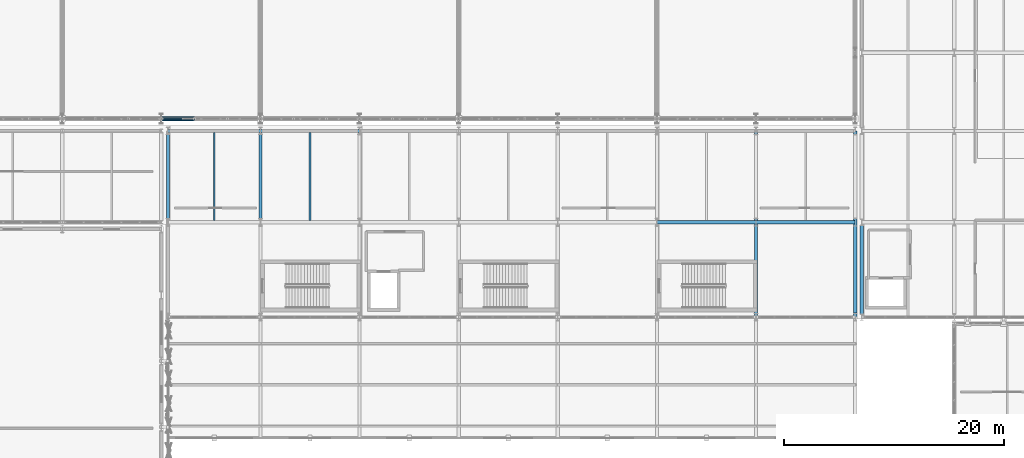
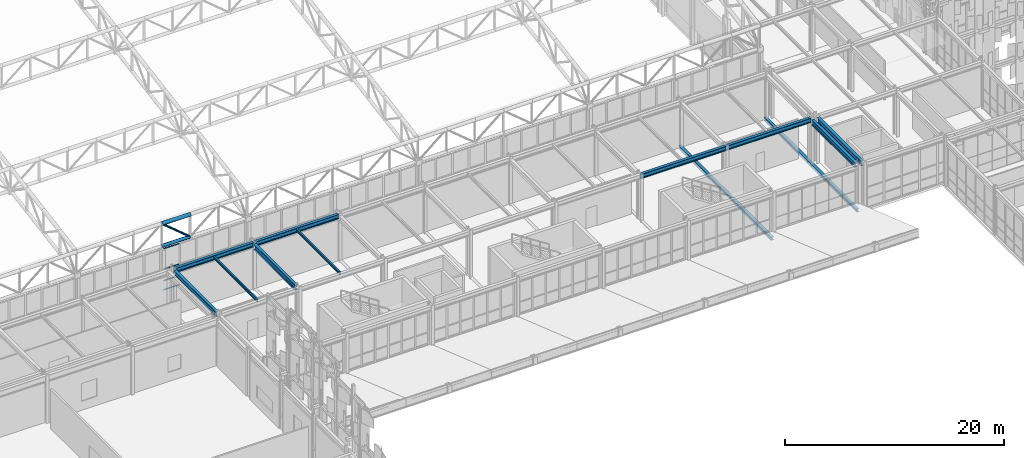
# One storey, part 62 of 239: 10 beams, 9 members, 1 element without a shape of its own.
"""IFC4 building model written with IfcOpenShell, lengths in metres."""

from ifc_helpers import new_model, si_unit, direction, frame, origin, origin_2d, place, context, subcontext, project, spatial, hollow_rectangle, hollow_circle, i_section, extrude, material, material_profile, profile_set, type_object, element, aggregate, save


model = new_model("IFC4")

# Units and contexts
model_context = context("Model", 3, precision=1e-05, world=origin(), true_north=direction((0.0, 1.0)))
body_context = subcontext(model_context, "Body", "Model", "MODEL_VIEW")
ifc_project = project(units=[si_unit("LENGTHUNIT", "METRE"), si_unit("AREAUNIT", "SQUARE_METRE"), si_unit("VOLUMEUNIT", "CUBIC_METRE"), si_unit("PLANEANGLEUNIT", "RADIAN"), si_unit("MASSUNIT", "GRAM", prefix="KILO")], contexts=[model_context])

# Site, building, storey
site_placement = place(None, origin())
site = spatial("IfcSite", under=ifc_project, at=site_placement, CompositionType="ELEMENT")
building_placement = place(site_placement, origin())
building = spatial("IfcBuilding", under=site, at=building_placement, Name="Kaldris Quays Convention Centre", CompositionType="ELEMENT")
storey_placement = place(building_placement, frame((0.0, 0.0, 11.39990234375)))
storey = spatial("IfcBuildingStorey", under=building, at=storey_placement, Name="L02", CompositionType="ELEMENT", Elevation=11.39990234375)

# Curtain wall, members
ifc_material_1 = material(Name="Anodized aluminium AW-6060 and triple glazing", Category="aluminium")
curtain_wall_type = type_object("IfcCurtainWallType", Name="UNITISED CURTAIN WALL CW03", PredefinedType="NOTDEFINED", material=ifc_material_1)
curtain_wall_placement = place(storey_placement, origin())
curtain_wall = element("IfcCurtainWall", 1, at=curtain_wall_placement, inside=storey, type_object=curtain_wall_type, Name="L02 Unitised Curtain Wall CW03 241", PredefinedType="NOTDEFINED")
ifc_material_2 = material(Name="Anodized aluminium AW-6060", Category="aluminium")
ifc_material_profile_1 = material_profile(ifc_material_2, hollow_rectangle(XDim=0.06005859375, YDim=0.1201171875, WallThickness=0.00390625, at=origin_2d()), Name="RHS 120x60x4")
ifc_profile_set_1 = profile_set([ifc_material_profile_1], Name="Anodized aluminium AW-6060")
member_type_1 = type_object("IfcMemberType", Name="CURTAIN TRANSOM CWT1", PredefinedType="USERDEFINED", material=ifc_profile_set_1)
member_1_placement = place(storey_placement, frame((83.199951171875, 56.0, 2.22509765625), z_axis=(1.0, 0.0, 0.0), x_axis=(0.0, 1.0, 0.0)))
member_1 = element("IfcMember", 2, at=member_1_placement, type_object=member_type_1, Name="CW03 transom 1.1", ObjectType="TRANSOM", PredefinedType="USERDEFINED", context=body_context, shape_type="SweptSolid", body=[
    extrude(hollow_rectangle(XDim=0.06005859375, YDim=0.1201171875, WallThickness=0.00390625, at=origin_2d()), origin(), (0.0, 0.0, 1.0), 1.654052734375),
])
member_2_placement = place(storey_placement, frame((83.199951171875, 56.0, 3.2451171875), z_axis=(1.0, 0.0, 0.0), x_axis=(0.0, 1.0, 0.0)))
member_2 = element("IfcMember", 3, at=member_2_placement, type_object=member_type_1, Name="CW03 transom 1.2", ObjectType="TRANSOM", PredefinedType="USERDEFINED", context=body_context, shape_type="SweptSolid", body=[
    extrude(hollow_rectangle(XDim=0.06005859375, YDim=0.1201171875, WallThickness=0.00390625, at=origin_2d()), origin(), (0.0, 0.0, 1.0), 1.654052734375),
])
member_3_placement = place(storey_placement, frame((83.199951171875, 56.0, 4.522216796875), z_axis=(1.0, 0.0, 0.0), x_axis=(0.0, 1.0, 0.0)))
member_3 = element("IfcMember", 4, at=member_3_placement, type_object=member_type_1, Name="CW03 transom 1.3", ObjectType="TRANSOM", PredefinedType="USERDEFINED", context=body_context, shape_type="SweptSolid", body=[
    extrude(hollow_rectangle(XDim=0.06005859375, YDim=0.1201171875, WallThickness=0.00390625, at=origin_2d()), origin(), (0.0, 0.0, 1.0), 1.654052734375),
])
member_4_placement = place(storey_placement, frame((83.199951171875, 56.0, 6.820068359375), z_axis=(1.0, 0.0, 0.0), x_axis=(0.0, 1.0, 0.0)))
member_4 = element("IfcMember", 5, at=member_4_placement, type_object=member_type_1, Name="CW03 transom 1.4", ObjectType="TRANSOM", PredefinedType="USERDEFINED", context=body_context, shape_type="SweptSolid", body=[
    extrude(hollow_rectangle(XDim=0.06005859375, YDim=0.1201171875, WallThickness=0.00390625, at=origin_2d()), origin(), (0.0, 0.0, 1.0), 1.654052734375),
])
aggregate(curtain_wall, [member_1, member_2, member_3, member_4])

# Beams
ifc_material_3 = material(Name="Steel S355J2", Category="steel")
ifc_material_profile_2 = material_profile(ifc_material_3, i_section(OverallWidth=0.300048828125, OverallDepth=0.5, WebThickness=0.014404296875, FlangeThickness=0.028076171875, FilletRadius=0.027099609375, at=origin_2d()), Name="HEB 500")
ifc_profile_set_2 = profile_set([ifc_material_profile_2], Name="Steel S355J2")
beam_type_1 = type_object("IfcBeamType", Name="STRUCTURAL BEAM BM06", PredefinedType="BEAM", material=ifc_profile_set_2)
for number, where, z_axis, x_axis, name in (
    (6, (128.00244140625, 46.60009765625, 4.9130859375), (1.0, 0.0, 0.0), (0.0, 1.0, 0.0), "L02 Girder BM06 15"),
    (7, (137.00244140625, 46.60009765625, 4.9130859375), (1.0, 0.0, 0.0), (0.0, 1.0, 0.0), "L02 Girder BM06 16"),
):
    element("IfcBeam", number, at=place(storey_placement, frame(where, z_axis=z_axis, x_axis=x_axis)), inside=storey, type_object=beam_type_1, Name=name, PredefinedType="BEAM", context=body_context, shape_type="SweptSolid", body=[
        extrude(i_section(OverallWidth=0.300048828125, OverallDepth=0.5, WebThickness=0.014404296875, FlangeThickness=0.028076171875, FilletRadius=0.027099609375, at=origin_2d()), origin(), (0.0, 0.0, 1.0), 8.9951171875),
    ])
beam_1_placement = place(storey_placement, frame((83.6025390625, 54.89990234375, 4.9130859375), z_axis=(1.0, 0.0, 0.0), x_axis=(0.0, 1.0, 0.0)))
element("IfcBeam", 8, at=beam_1_placement, inside=storey, type_object=beam_type_1, Name="L02 Girder BM06 19", PredefinedType="BEAM", context=body_context, shape_type="SweptSolid", body=[
    extrude(i_section(OverallWidth=0.300048828125, OverallDepth=0.5, WebThickness=0.014404296875, FlangeThickness=0.028076171875, FilletRadius=0.027099609375, at=origin_2d()), origin(), (0.0, 0.0, 1.0), 8.39501953125),
])
beam_2_placement = place(storey_placement, frame((92.00244140625, 54.89990234375, 4.9130859375), z_axis=(1.0, 0.0, 0.0), x_axis=(0.0, 1.0, 0.0)))
element("IfcBeam", 9, at=beam_2_placement, inside=storey, type_object=beam_type_1, Name="L02 Girder BM06 20", PredefinedType="BEAM", context=body_context, shape_type="SweptSolid", body=[
    extrude(i_section(OverallWidth=0.300048828125, OverallDepth=0.5, WebThickness=0.014404296875, FlangeThickness=0.028076171875, FilletRadius=0.027099609375, at=origin_2d()), origin(), (0.0, 0.0, 1.0), 8.9951171875),
])
ifc_material_profile_3 = material_profile(ifc_material_3, i_section(OverallWidth=0.300048828125, OverallDepth=0.590087890625, WebThickness=0.012939453125, FlangeThickness=0.02490234375, FilletRadius=0.027099609375, at=origin_2d()), Name="HEA 600")
ifc_profile_set_3 = profile_set([ifc_material_profile_3], Name="Steel S355J2")
beam_type_2 = type_object("IfcBeamType", Name="STRUCTURAL BEAM BM08", PredefinedType="BEAM", material=ifc_profile_set_3)
for number, where, z_axis, x_axis, name in (
    (10, (83.60009765625, 46.944091796875, 4.8681640625), (0.0, 1.0, 0.0), (-1.0, 0.0, 0.0), "L02 Girder BM08 57"),
    (11, (92.0, 46.944091796875, 4.8681640625), (0.0, 1.0, 0.0), (-1.0, 0.0, 0.0), "L02 Girder BM08 58"),
):
    element("IfcBeam", number, at=place(storey_placement, frame(where, z_axis=z_axis, x_axis=x_axis)), inside=storey, type_object=beam_type_2, Name=name, PredefinedType="BEAM", context=body_context, shape_type="SweptSolid", body=[
        extrude(i_section(OverallWidth=0.300048828125, OverallDepth=0.590087890625, WebThickness=0.012939453125, FlangeThickness=0.02490234375, FilletRadius=0.027099609375, at=origin_2d()), origin(), (0.0, 0.0, 1.0), 7.61181640625),
    ])
beam_3_placement = place(storey_placement, frame((146.0, 38.343994140625, 4.8681640625), z_axis=(0.0, 1.0, 0.0), x_axis=(-1.0, 0.0, 0.0)))
element("IfcBeam", 12, at=beam_3_placement, inside=storey, type_object=beam_type_2, Name="L02 Girder BM08 64", PredefinedType="BEAM", context=body_context, shape_type="SweptSolid", body=[
    extrude(i_section(OverallWidth=0.300048828125, OverallDepth=0.590087890625, WebThickness=0.012939453125, FlangeThickness=0.02490234375, FilletRadius=0.027099609375, at=origin_2d()), origin(), (0.0, 0.0, 1.0), 7.912109375),
])
beam_4_placement = place(storey_placement, frame((146.60009765625, 38.2939453125, 4.8681640625), z_axis=(0.0, 1.0, 0.0), x_axis=(-1.0, 0.0, 0.0)))
element("IfcBeam", 13, at=beam_4_placement, inside=storey, type_object=beam_type_2, Name="L02 Girder BM08 66", PredefinedType="BEAM", context=body_context, shape_type="SweptSolid", body=[
    extrude(i_section(OverallWidth=0.300048828125, OverallDepth=0.590087890625, WebThickness=0.012939453125, FlangeThickness=0.02490234375, FilletRadius=0.027099609375, at=origin_2d()), origin(), (0.0, 0.0, 1.0), 8.011962890625),
])
ifc_material_profile_4 = material_profile(ifc_material_3, i_section(OverallWidth=0.14990234375, OverallDepth=0.300048828125, WebThickness=0.007080078125, FlangeThickness=0.0107421875, FilletRadius=0.014892578125, at=origin_2d()), Name="IPE 300")
ifc_profile_set_4 = profile_set([ifc_material_profile_4], Name="Steel S355J2")
beam_type_3 = type_object("IfcBeamType", Name="STRUCTURAL BEAM JT04", PredefinedType="JOIST", material=ifc_profile_set_4)
for number, where, z_axis, x_axis, name in (
    (14, (87.800048828125, 46.743896484375, 5.01318359375), (0.0, 1.0, 0.0), (-1.0, 0.0, 0.0), "L02 Secondary Joist JT04 3"),
    (15, (96.5, 46.743896484375, 5.01318359375), (0.0, 1.0, 0.0), (-1.0, 0.0, 0.0), "L02 Secondary Joist JT04 4"),
):
    element("IfcBeam", number, at=place(storey_placement, frame(where, z_axis=z_axis, x_axis=x_axis)), inside=storey, type_object=beam_type_3, Name=name, PredefinedType="JOIST", context=body_context, shape_type="SweptSolid", body=[
        extrude(i_section(OverallWidth=0.14990234375, OverallDepth=0.300048828125, WebThickness=0.007080078125, FlangeThickness=0.0107421875, FilletRadius=0.014892578125, at=origin_2d()), origin(), (0.0, 0.0, 1.0), 8.01220703125),
    ])

# Members
ifc_material_4 = material(Name="Steel S355J2H", Category="steel")
ifc_material_profile_5 = material_profile(ifc_material_4, hollow_circle(Radius=0.203125, WallThickness=0.01611328125, at=origin_2d()), Name="CHS 406.4x16")
ifc_profile_set_5 = profile_set([ifc_material_profile_5], Name="Steel S355J2H")
member_type_2 = type_object("IfcMemberType", Name="STRUCTURAL MEMBER SC01", PredefinedType="CHORD", material=ifc_profile_set_5)
member_5_placement = place(storey_placement, frame((83.0, 56.0, 9.671875), z_axis=(1.0, 0.0, 0.0), x_axis=(0.0, 1.0, 0.0)))
element("IfcMember", 16, at=member_5_placement, inside=storey, type_object=member_type_2, Name="SF-V1 Top Chord X 22", PredefinedType="CHORD", context=body_context, shape_type="SweptSolid", body=[
    extrude(hollow_circle(Radius=0.203125, WallThickness=0.01611328125, at=origin_2d()), origin(), (0.0, 0.0, 1.0), 3.0),
])
ifc_material_profile_6 = material_profile(ifc_material_4, hollow_circle(Radius=0.177734375, WallThickness=0.01611328125, at=origin_2d()), Name="CHS 355.6x16")
ifc_profile_set_6 = profile_set([ifc_material_profile_6], Name="Steel S355J2H")
member_type_3 = type_object("IfcMemberType", Name="STRUCTURAL MEMBER SC02", PredefinedType="CHORD", material=ifc_profile_set_6)
member_6_placement = place(storey_placement, frame((83.0, 56.0, 7.171875), z_axis=(1.0, 0.0, 0.0), x_axis=(0.0, 1.0, 0.0)))
element("IfcMember", 17, at=member_6_placement, inside=storey, type_object=member_type_3, Name="SF-V1 Bottom Chord X 22", PredefinedType="CHORD", context=body_context, shape_type="SweptSolid", body=[
    extrude(hollow_circle(Radius=0.177734375, WallThickness=0.01611328125, at=origin_2d()), origin(), (0.0, 0.0, 1.0), 3.0),
])
ifc_material_profile_7 = material_profile(ifc_material_4, hollow_circle(Radius=0.109619140625, WallThickness=0.010009765625, at=origin_2d()), Name="CHS 219.1x10")
ifc_profile_set_7 = profile_set([ifc_material_profile_7], Name="Steel S355J2H")
member_type_4 = type_object("IfcMemberType", Name="STRUCTURAL MEMBER SWB1", PredefinedType="BRACE", material=ifc_profile_set_7)
member_7_placement = place(storey_placement, frame((86.0, 56.0, 7.171875), z_axis=(-0.768221279597, 0.0, 0.640184399664), x_axis=(0.0, -1.0, 0.0)))
element("IfcMember", 18, at=member_7_placement, inside=storey, type_object=member_type_4, Name="SF-V1 Web Diagonal X 22", PredefinedType="BRACE", context=body_context, shape_type="SweptSolid", body=[
    extrude(hollow_circle(Radius=0.109619140625, WallThickness=0.010009765625, at=origin_2d()), origin(), (0.0, 0.0, 1.0), 3.905029296875),
])
ifc_material_profile_8 = material_profile(ifc_material_3, i_section(OverallWidth=0.300048828125, OverallDepth=0.35009765625, WebThickness=0.010009765625, FlangeThickness=0.017578125, FilletRadius=0.027099609375, at=origin_2d()), Name="HEA 360")
ifc_profile_set_8 = profile_set([ifc_material_profile_8], Name="Steel S355J2")
member_type_5 = type_object("IfcMemberType", Name="STRUCTURAL MEMBER WRF1", PredefinedType="RAFTER", material=ifc_profile_set_8)
for number, where, z_axis, x_axis, name in (
    (19, (137.0, 54.89990234375, -0.000244140625), (0.0, -1.0, 0.0), (1.0, 0.0, 0.0), "WR-SOUTH-ENTRY Wing Rafter Backspan 7"),
    (20, (146.0, 54.89990234375, -0.000244140625), (0.0, -1.0, 0.0), (1.0, 0.0, 0.0), "WR-SOUTH-ENTRY Wing Rafter Backspan 8"),
):
    element("IfcMember", number, at=place(storey_placement, frame(where, z_axis=z_axis, x_axis=x_axis)), inside=storey, type_object=member_type_5, Name=name, PredefinedType="RAFTER", context=body_context, shape_type="SweptSolid", body=[
        extrude(i_section(OverallWidth=0.300048828125, OverallDepth=0.35009765625, WebThickness=0.010009765625, FlangeThickness=0.017578125, FilletRadius=0.027099609375, at=origin_2d()), origin(), (0.0, 0.0, 1.0), 16.89990234375),
    ])

save(model, "model.ifc")
